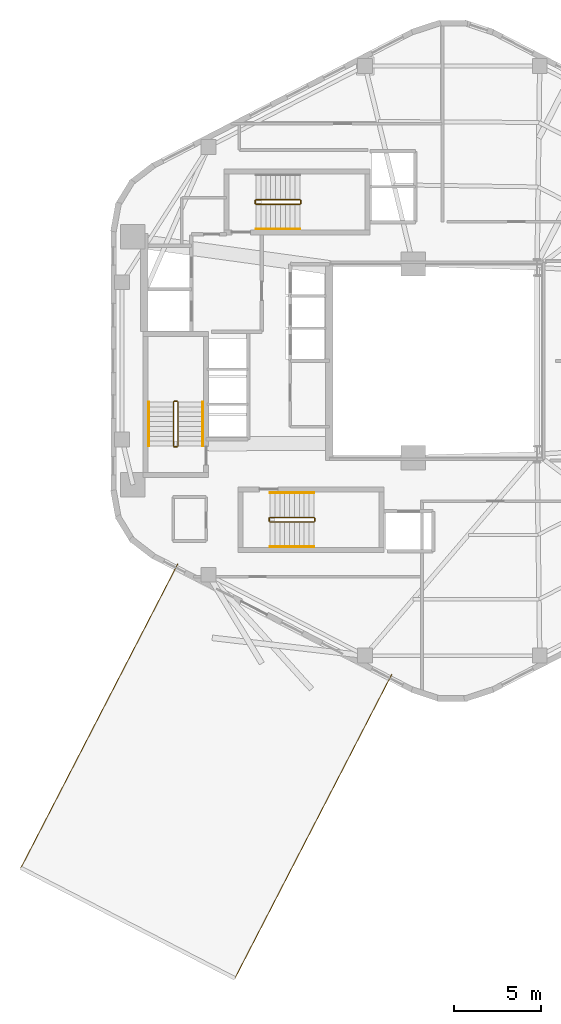
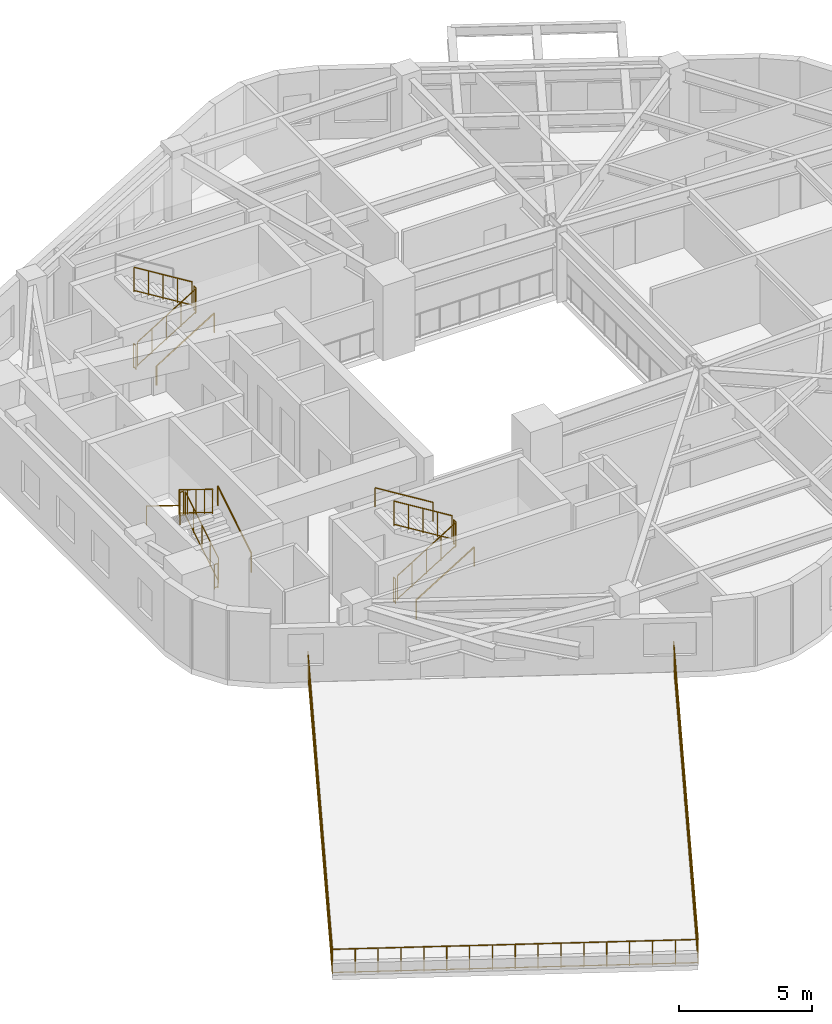
# One storey, part 6 of 7: 18 railings.
"""IFC4 building model written with IfcOpenShell, lengths in metres."""

from ifc_helpers import new_model, si_unit, direction, frame, origin, origin_2d, place, context, subcontext, project, spatial, circle, extrude, material, type_object, element, save


model = new_model("IFC4")

# Units and contexts
model_context = context("Model", 3, precision=1e-05, world=origin(), true_north=direction((0.0, 1.0)))
body_context = subcontext(model_context, "Body", "Model", "MODEL_VIEW")
ifc_project = project(units=[si_unit("LENGTHUNIT", "METRE"), si_unit("AREAUNIT", "SQUARE_METRE"), si_unit("VOLUMEUNIT", "CUBIC_METRE"), si_unit("PLANEANGLEUNIT", "RADIAN"), si_unit("MASSUNIT", "GRAM", prefix="KILO"), si_unit("THERMODYNAMICTEMPERATUREUNIT", "KELVIN"), si_unit("POWERUNIT", "WATT")], contexts=[model_context])

# Site, building, storey
site_placement = place(None, origin())
site = spatial("IfcSite", under=ifc_project, at=site_placement, CompositionType="ELEMENT")
building_placement = place(site_placement, origin())
building = spatial("IfcBuilding", under=site, at=building_placement, Name="Skarre Station Tower", CompositionType="ELEMENT")
storey_placement = place(building_placement, frame((0.0, 0.0, 184.35009765625)))
storey = spatial("IfcBuildingStorey", under=building, at=storey_placement, Name="L50", CompositionType="ELEMENT", Elevation=184.35009765625)

# Railings
ifc_material_1 = material(Name="Stainless Steel Grade 316L & Laminated Safety Glass", Category="steel")
railing_type_1 = type_object("IfcRailingType", Name="Laminated Glass & Stainless Terrace Guardrail 1150", PredefinedType="BALUSTRADE", material=ifc_material_1)
railing_1_placement = place(storey_placement, frame((18.865966796875, 12.3701171875, 0.0)))
element("IfcRailing", 1, at=railing_1_placement, inside=storey, type_object=railing_type_1, Name="L50 SB-4 Sky-Bar Roof Terrace Guardrail", PredefinedType="BALUSTRADE", context=body_context, shape_type="SweptSolid", body=[
    extrude(circle(Radius=0.02392578125, at=origin_2d()), frame((0.0, 0.0, 1.1259765625), z_axis=(-0.458621661341, -0.888631628825, 0.0), x_axis=(0.888631628825, -0.458621661341, 0.0)), (0.0, 0.0, 1.0), 19.60009765625),
    extrude(circle(Radius=0.02099609375, at=origin_2d()), frame((0.0, 0.0, 0.06005859375), z_axis=(-0.458621661341, -0.888631628825, 0.0), x_axis=(0.888631628825, -0.458621661341, 0.0)), (0.0, 0.0, 1.0), 19.60009765625),
    extrude(circle(Radius=0.02392578125, at=origin_2d()), frame((-8.989013671875, -17.417236328125, 1.1259765625), z_axis=(0.888632519013, -0.458619936498, 0.0), x_axis=(0.458619936498, 0.888632519013, 0.0)), (0.0, 0.0, 1.0), 13.7998046875),
    extrude(circle(Radius=0.02099609375, at=origin_2d()), frame((-8.989013671875, -17.417236328125, 0.06005859375), z_axis=(0.888632519013, -0.458619936498, 0.0), x_axis=(0.458619936498, 0.888632519013, 0.0)), (0.0, 0.0, 1.0), 13.7998046875),
    extrude(circle(Radius=0.02392578125, at=origin_2d()), frame((3.27392578125, -23.74609375, 1.1259765625), z_axis=(0.458626737826, 0.88862900884, 0.0), x_axis=(-0.88862900884, 0.458626737826, 0.0)), (0.0, 0.0, 1.0), 19.599853515625),
    extrude(circle(Radius=0.02099609375, at=origin_2d()), frame((3.27392578125, -23.74609375, 0.06005859375), z_axis=(0.458626737826, 0.88862900884, 0.0), x_axis=(-0.88862900884, 0.458626737826, 0.0)), (0.0, 0.0, 1.0), 19.599853515625),
    extrude(circle(Radius=0.02099609375, at=origin_2d()), origin(), (0.0, 0.0, 1.0), 1.101806640625),
    extrude(circle(Radius=0.02099609375, at=origin_2d()), frame((-0.40869140625, -0.791748046875, 0.0)), (0.0, 0.0, 1.0), 1.101806640625),
    extrude(circle(Radius=0.02099609375, at=origin_2d()), frame((-0.817138671875, -1.58349609375, 0.0)), (0.0, 0.0, 1.0), 1.101806640625),
    extrude(circle(Radius=0.02099609375, at=origin_2d()), frame((-1.225830078125, -2.375, 0.0)), (0.0, 0.0, 1.0), 1.101806640625),
    extrude(circle(Radius=0.02099609375, at=origin_2d()), frame((-1.63427734375, -3.166748046875, 0.0)), (0.0, 0.0, 1.0), 1.101806640625),
    extrude(circle(Radius=0.02099609375, at=origin_2d()), frame((-2.04296875, -3.95849609375, 0.0)), (0.0, 0.0, 1.0), 1.101806640625),
    extrude(circle(Radius=0.02099609375, at=origin_2d()), frame((-2.45166015625, -4.750244140625, 0.0)), (0.0, 0.0, 1.0), 1.101806640625),
    extrude(circle(Radius=0.02099609375, at=origin_2d()), frame((-2.860107421875, -5.541748046875, 0.0)), (0.0, 0.0, 1.0), 1.101806640625),
    extrude(circle(Radius=0.02099609375, at=origin_2d()), frame((-3.268798828125, -6.33349609375, 0.0)), (0.0, 0.0, 1.0), 1.101806640625),
    extrude(circle(Radius=0.02099609375, at=origin_2d()), frame((-3.67724609375, -7.125244140625, 0.0)), (0.0, 0.0, 1.0), 1.101806640625),
    extrude(circle(Radius=0.02099609375, at=origin_2d()), frame((-4.0859375, -7.9169921875, 0.0)), (0.0, 0.0, 1.0), 1.101806640625),
    extrude(circle(Radius=0.02099609375, at=origin_2d()), frame((-4.49462890625, -8.70849609375, 0.0)), (0.0, 0.0, 1.0), 1.101806640625),
    extrude(circle(Radius=0.02099609375, at=origin_2d()), frame((-4.903076171875, -9.500244140625, 0.0)), (0.0, 0.0, 1.0), 1.101806640625),
    extrude(circle(Radius=0.02099609375, at=origin_2d()), frame((-5.311767578125, -10.2919921875, 0.0)), (0.0, 0.0, 1.0), 1.101806640625),
    extrude(circle(Radius=0.02099609375, at=origin_2d()), frame((-5.72021484375, -11.083740234375, 0.0)), (0.0, 0.0, 1.0), 1.101806640625),
    extrude(circle(Radius=0.02099609375, at=origin_2d()), frame((-6.12890625, -11.87548828125, 0.0)), (0.0, 0.0, 1.0), 1.101806640625),
    extrude(circle(Radius=0.02099609375, at=origin_2d()), frame((-6.537353515625, -12.6669921875, 0.0)), (0.0, 0.0, 1.0), 1.101806640625),
    extrude(circle(Radius=0.02099609375, at=origin_2d()), frame((-6.946044921875, -13.458740234375, 0.0)), (0.0, 0.0, 1.0), 1.101806640625),
    extrude(circle(Radius=0.02099609375, at=origin_2d()), frame((-7.354736328125, -14.25048828125, 0.0)), (0.0, 0.0, 1.0), 1.101806640625),
    extrude(circle(Radius=0.02099609375, at=origin_2d()), frame((-7.76318359375, -15.042236328125, 0.0)), (0.0, 0.0, 1.0), 1.101806640625),
    extrude(circle(Radius=0.02099609375, at=origin_2d()), frame((-8.171875, -15.833740234375, 0.0)), (0.0, 0.0, 1.0), 1.101806640625),
    extrude(circle(Radius=0.02099609375, at=origin_2d()), frame((-8.580322265625, -16.62548828125, 0.0)), (0.0, 0.0, 1.0), 1.101806640625),
    extrude(circle(Radius=0.02099609375, at=origin_2d()), frame((-8.989013671875, -17.417236328125, 0.0)), (0.0, 0.0, 1.0), 1.101806640625),
    extrude(circle(Radius=0.02099609375, at=origin_2d()), frame((-8.22265625, -17.812744140625, 0.0)), (0.0, 0.0, 1.0), 1.101806640625),
    extrude(circle(Radius=0.02099609375, at=origin_2d()), frame((-7.4560546875, -18.208251953125, 0.0)), (0.0, 0.0, 1.0), 1.101806640625),
    extrude(circle(Radius=0.02099609375, at=origin_2d()), frame((-6.689697265625, -18.60400390625, 0.0)), (0.0, 0.0, 1.0), 1.101806640625),
    extrude(circle(Radius=0.02099609375, at=origin_2d()), frame((-5.92333984375, -18.99951171875, 0.0)), (0.0, 0.0, 1.0), 1.101806640625),
    extrude(circle(Radius=0.02099609375, at=origin_2d()), frame((-5.15673828125, -19.39501953125, 0.0)), (0.0, 0.0, 1.0), 1.101806640625),
    extrude(circle(Radius=0.02099609375, at=origin_2d()), frame((-4.390380859375, -19.79052734375, 0.0)), (0.0, 0.0, 1.0), 1.101806640625),
    extrude(circle(Radius=0.02099609375, at=origin_2d()), frame((-3.6240234375, -20.18603515625, 0.0)), (0.0, 0.0, 1.0), 1.101806640625),
    extrude(circle(Radius=0.02099609375, at=origin_2d()), frame((-2.857421875, -20.58154296875, 0.0)), (0.0, 0.0, 1.0), 1.101806640625),
    extrude(circle(Radius=0.02099609375, at=origin_2d()), frame((-2.091064453125, -20.977294921875, 0.0)), (0.0, 0.0, 1.0), 1.101806640625),
    extrude(circle(Radius=0.02099609375, at=origin_2d()), frame((-1.32470703125, -21.372802734375, 0.0)), (0.0, 0.0, 1.0), 1.101806640625),
    extrude(circle(Radius=0.02099609375, at=origin_2d()), frame((-0.558349609375, -21.768310546875, 0.0)), (0.0, 0.0, 1.0), 1.101806640625),
    extrude(circle(Radius=0.02099609375, at=origin_2d()), frame((0.208251953125, -22.163818359375, 0.0)), (0.0, 0.0, 1.0), 1.101806640625),
    extrude(circle(Radius=0.02099609375, at=origin_2d()), frame((0.974609375, -22.559326171875, 0.0)), (0.0, 0.0, 1.0), 1.101806640625),
    extrude(circle(Radius=0.02099609375, at=origin_2d()), frame((1.740966796875, -22.955078125, 0.0)), (0.0, 0.0, 1.0), 1.101806640625),
    extrude(circle(Radius=0.02099609375, at=origin_2d()), frame((2.507568359375, -23.3505859375, 0.0)), (0.0, 0.0, 1.0), 1.101806640625),
    extrude(circle(Radius=0.02099609375, at=origin_2d()), frame((3.27392578125, -23.74609375, 0.0)), (0.0, 0.0, 1.0), 1.101806640625),
    extrude(circle(Radius=0.02099609375, at=origin_2d()), frame((3.6826171875, -22.954345703125, 0.0)), (0.0, 0.0, 1.0), 1.101806640625),
    extrude(circle(Radius=0.02099609375, at=origin_2d()), frame((4.091064453125, -22.162841796875, 0.0)), (0.0, 0.0, 1.0), 1.101806640625),
    extrude(circle(Radius=0.02099609375, at=origin_2d()), frame((4.499755859375, -21.37109375, 0.0)), (0.0, 0.0, 1.0), 1.101806640625),
    extrude(circle(Radius=0.02099609375, at=origin_2d()), frame((4.908203125, -20.579345703125, 0.0)), (0.0, 0.0, 1.0), 1.101806640625),
    extrude(circle(Radius=0.02099609375, at=origin_2d()), frame((5.31689453125, -19.78759765625, 0.0)), (0.0, 0.0, 1.0), 1.101806640625),
    extrude(circle(Radius=0.02099609375, at=origin_2d()), frame((5.7255859375, -18.99609375, 0.0)), (0.0, 0.0, 1.0), 1.101806640625),
    extrude(circle(Radius=0.02099609375, at=origin_2d()), frame((6.134033203125, -18.204345703125, 0.0)), (0.0, 0.0, 1.0), 1.101806640625),
    extrude(circle(Radius=0.02099609375, at=origin_2d()), frame((6.542724609375, -17.41259765625, 0.0)), (0.0, 0.0, 1.0), 1.101806640625),
    extrude(circle(Radius=0.02099609375, at=origin_2d()), frame((6.951171875, -16.620849609375, 0.0)), (0.0, 0.0, 1.0), 1.101806640625),
    extrude(circle(Radius=0.02099609375, at=origin_2d()), frame((7.35986328125, -15.829345703125, 0.0)), (0.0, 0.0, 1.0), 1.101806640625),
    extrude(circle(Radius=0.02099609375, at=origin_2d()), frame((7.7685546875, -15.03759765625, 0.0)), (0.0, 0.0, 1.0), 1.101806640625),
    extrude(circle(Radius=0.02099609375, at=origin_2d()), frame((8.177001953125, -14.245849609375, 0.0)), (0.0, 0.0, 1.0), 1.101806640625),
    extrude(circle(Radius=0.02099609375, at=origin_2d()), frame((8.585693359375, -13.454345703125, 0.0)), (0.0, 0.0, 1.0), 1.101806640625),
    extrude(circle(Radius=0.02099609375, at=origin_2d()), frame((8.994140625, -12.66259765625, 0.0)), (0.0, 0.0, 1.0), 1.101806640625),
    extrude(circle(Radius=0.02099609375, at=origin_2d()), frame((9.40283203125, -11.870849609375, 0.0)), (0.0, 0.0, 1.0), 1.101806640625),
    extrude(circle(Radius=0.02099609375, at=origin_2d()), frame((9.811279296875, -11.0791015625, 0.0)), (0.0, 0.0, 1.0), 1.101806640625),
    extrude(circle(Radius=0.02099609375, at=origin_2d()), frame((10.219970703125, -10.28759765625, 0.0)), (0.0, 0.0, 1.0), 1.101806640625),
    extrude(circle(Radius=0.02099609375, at=origin_2d()), frame((10.628662109375, -9.495849609375, 0.0)), (0.0, 0.0, 1.0), 1.101806640625),
    extrude(circle(Radius=0.02099609375, at=origin_2d()), frame((11.037109375, -8.7041015625, 0.0)), (0.0, 0.0, 1.0), 1.101806640625),
    extrude(circle(Radius=0.02099609375, at=origin_2d()), frame((11.44580078125, -7.912353515625, 0.0)), (0.0, 0.0, 1.0), 1.101806640625),
    extrude(circle(Radius=0.02099609375, at=origin_2d()), frame((11.854248046875, -7.120849609375, 0.0)), (0.0, 0.0, 1.0), 1.101806640625),
    extrude(circle(Radius=0.02099609375, at=origin_2d()), frame((12.262939453125, -6.3291015625, 0.0)), (0.0, 0.0, 1.0), 1.101806640625),
])
ifc_material_2 = material(Name="Powder-Coated Tubular Steel", Category="steel")
railing_type_2 = type_object("IfcRailingType", Name="Painted Steel Ramp & Stair Handrail 920", PredefinedType="HANDRAIL", material=ifc_material_2)
railing_2_placement = place(storey_placement, frame((20.300048828125, 19.1201171875, 0.17236328125)))
element("IfcRailing", 2, at=railing_2_placement, inside=storey, type_object=railing_type_2, Name="L50 ST-1 stair handrail 1", PredefinedType="HANDRAIL", context=body_context, shape_type="SweptSolid", body=[
    extrude(circle(Radius=0.02392578125, at=origin_2d()), frame((0.0, 0.0, 0.8759765625), z_axis=(0.0, 0.851377800117, 0.52455299205), x_axis=(-1.0, 0.0, 0.0)), (0.0, 0.0, 1.0), 2.959716796875),
    extrude(circle(Radius=0.02099609375, at=origin_2d()), origin(), (0.0, 0.0, 1.0), 0.851806640625),
    extrude(circle(Radius=0.02099609375, at=origin_2d()), frame((0.0, 2.519775390625, 1.552490234375)), (0.0, 0.0, 1.0), 0.851806640625),
])
railing_3_placement = place(storey_placement, frame((17.199951171875, 21.639892578125, 1.8974609375)))
element("IfcRailing", 3, at=railing_3_placement, inside=storey, type_object=railing_type_2, Name="L50 ST-1 stair handrail 2", PredefinedType="HANDRAIL", context=body_context, shape_type="SweptSolid", body=[
    extrude(circle(Radius=0.02392578125, at=origin_2d()), frame((0.0, 0.0, 0.8759765625), z_axis=(0.0, -0.851377800117, 0.52455299205), x_axis=(1.0, 0.0, 0.0)), (0.0, 0.0, 1.0), 2.959716796875),
    extrude(circle(Radius=0.02099609375, at=origin_2d()), origin(), (0.0, 0.0, 1.0), 0.851806640625),
    extrude(circle(Radius=0.02099609375, at=origin_2d()), frame((0.0, -2.519775390625, 1.552490234375)), (0.0, 0.0, 1.0), 0.851806640625),
])
railing_4_placement = place(storey_placement, frame((24.14990234375, 13.35009765625, 0.17236328125)))
element("IfcRailing", 4, at=railing_4_placement, inside=storey, type_object=railing_type_2, Name="L50 ST-2 stair handrail 1", PredefinedType="HANDRAIL", context=body_context, shape_type="SweptSolid", body=[
    extrude(circle(Radius=0.02392578125, at=origin_2d()), frame((0.0, 0.0, 0.8759765625), z_axis=(0.851400495292, 0.0, 0.524516154772), x_axis=(0.0, 1.0, 0.0)), (0.0, 0.0, 1.0), 2.9599609375),
    extrude(circle(Radius=0.02099609375, at=origin_2d()), origin(), (0.0, 0.0, 1.0), 0.851806640625),
    extrude(circle(Radius=0.02099609375, at=origin_2d()), frame((2.52001953125, 0.0, 1.552490234375)), (0.0, 0.0, 1.0), 0.851806640625),
])
railing_5_placement = place(storey_placement, frame((26.669921875, 16.449951171875, 1.8974609375)))
element("IfcRailing", 5, at=railing_5_placement, inside=storey, type_object=railing_type_2, Name="L50 ST-2 stair handrail 2", PredefinedType="HANDRAIL", context=body_context, shape_type="SweptSolid", body=[
    extrude(circle(Radius=0.02392578125, at=origin_2d()), frame((0.0, 0.0, 0.8759765625), z_axis=(-0.851400495292, 0.0, 0.524516154772), x_axis=(0.0, -1.0, 0.0)), (0.0, 0.0, 1.0), 2.9599609375),
    extrude(circle(Radius=0.02099609375, at=origin_2d()), origin(), (0.0, 0.0, 1.0), 0.851806640625),
    extrude(circle(Radius=0.02099609375, at=origin_2d()), frame((-2.52001953125, 0.0, 1.552490234375)), (0.0, 0.0, 1.0), 0.851806640625),
])
railing_6_placement = place(storey_placement, frame((23.35009765625, 31.550048828125, 0.17236328125)))
element("IfcRailing", 6, at=railing_6_placement, inside=storey, type_object=railing_type_2, Name="L50 ST-3 stair handrail 1", PredefinedType="HANDRAIL", context=body_context, shape_type="SweptSolid", body=[
    extrude(circle(Radius=0.02392578125, at=origin_2d()), frame((0.0, 0.0, 0.8759765625), z_axis=(0.851400495292, 0.0, 0.524516154772), x_axis=(0.0, 1.0, 0.0)), (0.0, 0.0, 1.0), 2.9599609375),
    extrude(circle(Radius=0.02099609375, at=origin_2d()), origin(), (0.0, 0.0, 1.0), 0.851806640625),
    extrude(circle(Radius=0.02099609375, at=origin_2d()), frame((2.52001953125, 0.0, 1.552490234375)), (0.0, 0.0, 1.0), 0.851806640625),
])
railing_type_3 = type_object("IfcRailingType", Name="Painted Steel Stairwell Guardrail 1100", PredefinedType="GUARDRAIL", material=ifc_material_2)
railing_7_placement = place(storey_placement, frame((18.8798828125, 19.1201171875, 0.17236328125)))
element("IfcRailing", 7, at=railing_7_placement, inside=storey, type_object=railing_type_3, Name="L50 ST-1 stair guard 1", PredefinedType="GUARDRAIL", context=body_context, shape_type="SweptSolid", body=[
    extrude(circle(Radius=0.02392578125, at=origin_2d()), frame((0.0, 0.0, 1.1259765625), z_axis=(0.0, 0.851377800117, 0.52455299205), x_axis=(-1.0, 0.0, 0.0)), (0.0, 0.0, 1.0), 2.959716796875),
    extrude(circle(Radius=0.02099609375, at=origin_2d()), frame((0.0, 0.0, 0.06005859375), z_axis=(0.0, 0.851377800117, 0.52455299205), x_axis=(-1.0, 0.0, 0.0)), (0.0, 0.0, 1.0), 2.959716796875),
    extrude(circle(Radius=0.02099609375, at=origin_2d()), origin(), (0.0, 0.0, 1.0), 1.101806640625),
    extrude(circle(Radius=0.02099609375, at=origin_2d()), frame((0.0, 0.6298828125, 0.38818359375)), (0.0, 0.0, 1.0), 1.101806640625),
    extrude(circle(Radius=0.02099609375, at=origin_2d()), frame((0.0, 1.259765625, 0.7763671875)), (0.0, 0.0, 1.0), 1.101806640625),
    extrude(circle(Radius=0.02099609375, at=origin_2d()), frame((0.0, 1.889892578125, 1.164306640625)), (0.0, 0.0, 1.0), 1.101806640625),
    extrude(circle(Radius=0.02099609375, at=origin_2d()), frame((0.0, 2.519775390625, 1.552490234375)), (0.0, 0.0, 1.0), 1.101806640625),
])
railing_8_placement = place(storey_placement, frame((18.830078125, 21.68994140625, 1.724853515625)))
element("IfcRailing", 8, at=railing_8_placement, inside=storey, type_object=railing_type_3, Name="L50 ST-1 stair guard 2", PredefinedType="GUARDRAIL", context=body_context, shape_type="SweptSolid", body=[
    extrude(circle(Radius=0.02392578125, at=origin_2d()), frame((0.0, 0.0, 1.1259765625), z_axis=(-1.0, 0.0, 0.0), x_axis=(0.0, -1.0, 0.0)), (0.0, 0.0, 1.0), 0.16015625),
    extrude(circle(Radius=0.02099609375, at=origin_2d()), frame((0.0, 0.0, 0.06005859375), z_axis=(-1.0, 0.0, 0.0), x_axis=(0.0, -1.0, 0.0)), (0.0, 0.0, 1.0), 0.16015625),
    extrude(circle(Radius=0.02099609375, at=origin_2d()), origin(), (0.0, 0.0, 1.0), 1.101806640625),
    extrude(circle(Radius=0.02099609375, at=origin_2d()), frame((-0.16015625, 0.0, 0.0)), (0.0, 0.0, 1.0), 1.101806640625),
])
railing_9_placement = place(storey_placement, frame((18.6201171875, 21.639892578125, 1.8974609375)))
element("IfcRailing", 9, at=railing_9_placement, inside=storey, type_object=railing_type_3, Name="L50 ST-1 stair guard 3", PredefinedType="GUARDRAIL", context=body_context, shape_type="SweptSolid", body=[
    extrude(circle(Radius=0.02392578125, at=origin_2d()), frame((0.0, 0.0, 1.1259765625), z_axis=(0.0, -0.851377800117, 0.52455299205), x_axis=(1.0, 0.0, 0.0)), (0.0, 0.0, 1.0), 2.959716796875),
    extrude(circle(Radius=0.02099609375, at=origin_2d()), frame((0.0, 0.0, 0.06005859375), z_axis=(0.0, -0.851377800117, 0.52455299205), x_axis=(1.0, 0.0, 0.0)), (0.0, 0.0, 1.0), 2.959716796875),
    extrude(circle(Radius=0.02099609375, at=origin_2d()), origin(), (0.0, 0.0, 1.0), 1.101806640625),
    extrude(circle(Radius=0.02099609375, at=origin_2d()), frame((0.0, -0.6298828125, 0.38818359375)), (0.0, 0.0, 1.0), 1.101806640625),
    extrude(circle(Radius=0.02099609375, at=origin_2d()), frame((0.0, -1.259765625, 0.7763671875)), (0.0, 0.0, 1.0), 1.101806640625),
    extrude(circle(Radius=0.02099609375, at=origin_2d()), frame((0.0, -1.889892578125, 1.164306640625)), (0.0, 0.0, 1.0), 1.101806640625),
    extrude(circle(Radius=0.02099609375, at=origin_2d()), frame((0.0, -2.519775390625, 1.552490234375)), (0.0, 0.0, 1.0), 1.101806640625),
])
railing_10_placement = place(storey_placement, frame((18.830078125, 19.070068359375, 0.0)))
element("IfcRailing", 10, at=railing_10_placement, inside=storey, type_object=railing_type_3, Name="L50 ST-1 stair guard 4", PredefinedType="GUARDRAIL", context=body_context, shape_type="SweptSolid", body=[
    extrude(circle(Radius=0.02392578125, at=origin_2d()), frame((0.0, 0.0, 1.1259765625), z_axis=(-1.0, 0.0, 0.0), x_axis=(0.0, -1.0, 0.0)), (0.0, 0.0, 1.0), 0.16015625),
    extrude(circle(Radius=0.02099609375, at=origin_2d()), frame((0.0, 0.0, 0.06005859375), z_axis=(-1.0, 0.0, 0.0), x_axis=(0.0, -1.0, 0.0)), (0.0, 0.0, 1.0), 0.16015625),
    extrude(circle(Radius=0.02099609375, at=origin_2d()), origin(), (0.0, 0.0, 1.0), 1.101806640625),
    extrude(circle(Radius=0.02099609375, at=origin_2d()), frame((-0.16015625, 0.0, 0.0)), (0.0, 0.0, 1.0), 1.101806640625),
])
railing_11_placement = place(storey_placement, frame((24.14990234375, 14.77001953125, 0.17236328125)))
element("IfcRailing", 11, at=railing_11_placement, inside=storey, type_object=railing_type_3, Name="L50 ST-2 stair guard 1", PredefinedType="GUARDRAIL", context=body_context, shape_type="SweptSolid", body=[
    extrude(circle(Radius=0.02392578125, at=origin_2d()), frame((0.0, 0.0, 1.1259765625), z_axis=(0.851400495292, 0.0, 0.524516154772), x_axis=(0.0, 1.0, 0.0)), (0.0, 0.0, 1.0), 2.9599609375),
    extrude(circle(Radius=0.02099609375, at=origin_2d()), frame((0.0, 0.0, 0.06005859375), z_axis=(0.851400495292, 0.0, 0.524516154772), x_axis=(0.0, 1.0, 0.0)), (0.0, 0.0, 1.0), 2.9599609375),
    extrude(circle(Radius=0.02099609375, at=origin_2d()), origin(), (0.0, 0.0, 1.0), 1.101806640625),
    extrude(circle(Radius=0.02099609375, at=origin_2d()), frame((0.6298828125, 0.0, 0.38818359375)), (0.0, 0.0, 1.0), 1.101806640625),
    extrude(circle(Radius=0.02099609375, at=origin_2d()), frame((1.260009765625, 0.0, 0.7763671875)), (0.0, 0.0, 1.0), 1.101806640625),
    extrude(circle(Radius=0.02099609375, at=origin_2d()), frame((1.89013671875, 0.0, 1.164306640625)), (0.0, 0.0, 1.0), 1.101806640625),
    extrude(circle(Radius=0.02099609375, at=origin_2d()), frame((2.52001953125, 0.0, 1.552490234375)), (0.0, 0.0, 1.0), 1.101806640625),
])
railing_12_placement = place(storey_placement, frame((26.719970703125, 14.820068359375, 1.724853515625)))
element("IfcRailing", 12, at=railing_12_placement, inside=storey, type_object=railing_type_3, Name="L50 ST-2 stair guard 2", PredefinedType="GUARDRAIL", context=body_context, shape_type="SweptSolid", body=[
    extrude(circle(Radius=0.02392578125, at=origin_2d()), frame((0.0, 0.0, 1.1259765625), z_axis=(0.0, 1.0, 0.0), x_axis=(-1.0, 0.0, 0.0)), (0.0, 0.0, 1.0), 0.159912109375),
    extrude(circle(Radius=0.02099609375, at=origin_2d()), frame((0.0, 0.0, 0.06005859375), z_axis=(0.0, 1.0, 0.0), x_axis=(-1.0, 0.0, 0.0)), (0.0, 0.0, 1.0), 0.159912109375),
    extrude(circle(Radius=0.02099609375, at=origin_2d()), origin(), (0.0, 0.0, 1.0), 1.101806640625),
    extrude(circle(Radius=0.02099609375, at=origin_2d()), frame((0.0, 0.159912109375, 0.0)), (0.0, 0.0, 1.0), 1.101806640625),
])
railing_13_placement = place(storey_placement, frame((26.669921875, 15.030029296875, 1.8974609375)))
element("IfcRailing", 13, at=railing_13_placement, inside=storey, type_object=railing_type_3, Name="L50 ST-2 stair guard 3", PredefinedType="GUARDRAIL", context=body_context, shape_type="SweptSolid", body=[
    extrude(circle(Radius=0.02392578125, at=origin_2d()), frame((0.0, 0.0, 1.1259765625), z_axis=(-0.851400495292, 0.0, 0.524516154772), x_axis=(0.0, -1.0, 0.0)), (0.0, 0.0, 1.0), 2.9599609375),
    extrude(circle(Radius=0.02099609375, at=origin_2d()), frame((0.0, 0.0, 0.06005859375), z_axis=(-0.851400495292, 0.0, 0.524516154772), x_axis=(0.0, -1.0, 0.0)), (0.0, 0.0, 1.0), 2.9599609375),
    extrude(circle(Radius=0.02099609375, at=origin_2d()), origin(), (0.0, 0.0, 1.0), 1.101806640625),
    extrude(circle(Radius=0.02099609375, at=origin_2d()), frame((-0.6298828125, 0.0, 0.38818359375)), (0.0, 0.0, 1.0), 1.101806640625),
    extrude(circle(Radius=0.02099609375, at=origin_2d()), frame((-1.260009765625, 0.0, 0.7763671875)), (0.0, 0.0, 1.0), 1.101806640625),
    extrude(circle(Radius=0.02099609375, at=origin_2d()), frame((-1.89013671875, 0.0, 1.164306640625)), (0.0, 0.0, 1.0), 1.101806640625),
    extrude(circle(Radius=0.02099609375, at=origin_2d()), frame((-2.52001953125, 0.0, 1.552490234375)), (0.0, 0.0, 1.0), 1.101806640625),
])
railing_14_placement = place(storey_placement, frame((24.10009765625, 14.820068359375, 0.0)))
element("IfcRailing", 14, at=railing_14_placement, inside=storey, type_object=railing_type_3, Name="L50 ST-2 stair guard 4", PredefinedType="GUARDRAIL", context=body_context, shape_type="SweptSolid", body=[
    extrude(circle(Radius=0.02392578125, at=origin_2d()), frame((0.0, 0.0, 1.1259765625), z_axis=(0.0, 1.0, 0.0), x_axis=(-1.0, 0.0, 0.0)), (0.0, 0.0, 1.0), 0.159912109375),
    extrude(circle(Radius=0.02099609375, at=origin_2d()), frame((0.0, 0.0, 0.06005859375), z_axis=(0.0, 1.0, 0.0), x_axis=(-1.0, 0.0, 0.0)), (0.0, 0.0, 1.0), 0.159912109375),
    extrude(circle(Radius=0.02099609375, at=origin_2d()), origin(), (0.0, 0.0, 1.0), 1.101806640625),
    extrude(circle(Radius=0.02099609375, at=origin_2d()), frame((0.0, 0.159912109375, 0.0)), (0.0, 0.0, 1.0), 1.101806640625),
])
railing_15_placement = place(storey_placement, frame((23.35009765625, 32.969970703125, 0.17236328125)))
element("IfcRailing", 15, at=railing_15_placement, inside=storey, type_object=railing_type_3, Name="L50 ST-3 stair guard 1", PredefinedType="GUARDRAIL", context=body_context, shape_type="SweptSolid", body=[
    extrude(circle(Radius=0.02392578125, at=origin_2d()), frame((0.0, 0.0, 1.1259765625), z_axis=(0.851400495292, 0.0, 0.524516154772), x_axis=(0.0, 1.0, 0.0)), (0.0, 0.0, 1.0), 2.9599609375),
    extrude(circle(Radius=0.02099609375, at=origin_2d()), frame((0.0, 0.0, 0.06005859375), z_axis=(0.851400495292, 0.0, 0.524516154772), x_axis=(0.0, 1.0, 0.0)), (0.0, 0.0, 1.0), 2.9599609375),
    extrude(circle(Radius=0.02099609375, at=origin_2d()), origin(), (0.0, 0.0, 1.0), 1.101806640625),
    extrude(circle(Radius=0.02099609375, at=origin_2d()), frame((0.6298828125, 0.0, 0.38818359375)), (0.0, 0.0, 1.0), 1.101806640625),
    extrude(circle(Radius=0.02099609375, at=origin_2d()), frame((1.260009765625, 0.0, 0.7763671875)), (0.0, 0.0, 1.0), 1.101806640625),
    extrude(circle(Radius=0.02099609375, at=origin_2d()), frame((1.89013671875, 0.0, 1.164306640625)), (0.0, 0.0, 1.0), 1.101806640625),
    extrude(circle(Radius=0.02099609375, at=origin_2d()), frame((2.52001953125, 0.0, 1.552490234375)), (0.0, 0.0, 1.0), 1.101806640625),
])
railing_16_placement = place(storey_placement, frame((25.919921875, 33.02001953125, 1.724853515625)))
element("IfcRailing", 16, at=railing_16_placement, inside=storey, type_object=railing_type_3, Name="L50 ST-3 stair guard 2", PredefinedType="GUARDRAIL", context=body_context, shape_type="SweptSolid", body=[
    extrude(circle(Radius=0.02392578125, at=origin_2d()), frame((0.0, 0.0, 1.1259765625), z_axis=(0.0, 1.0, 0.0), x_axis=(-1.0, 0.0, 0.0)), (0.0, 0.0, 1.0), 0.159912109375),
    extrude(circle(Radius=0.02099609375, at=origin_2d()), frame((0.0, 0.0, 0.06005859375), z_axis=(0.0, 1.0, 0.0), x_axis=(-1.0, 0.0, 0.0)), (0.0, 0.0, 1.0), 0.159912109375),
    extrude(circle(Radius=0.02099609375, at=origin_2d()), origin(), (0.0, 0.0, 1.0), 1.101806640625),
    extrude(circle(Radius=0.02099609375, at=origin_2d()), frame((0.0, 0.159912109375, 0.0)), (0.0, 0.0, 1.0), 1.101806640625),
])
railing_17_placement = place(storey_placement, frame((25.8701171875, 33.22998046875, 1.8974609375)))
element("IfcRailing", 17, at=railing_17_placement, inside=storey, type_object=railing_type_3, Name="L50 ST-3 stair guard 3", PredefinedType="GUARDRAIL", context=body_context, shape_type="SweptSolid", body=[
    extrude(circle(Radius=0.02392578125, at=origin_2d()), frame((0.0, 0.0, 1.1259765625), z_axis=(-0.851400495292, 0.0, 0.524516154772), x_axis=(0.0, -1.0, 0.0)), (0.0, 0.0, 1.0), 2.9599609375),
    extrude(circle(Radius=0.02099609375, at=origin_2d()), frame((0.0, 0.0, 0.06005859375), z_axis=(-0.851400495292, 0.0, 0.524516154772), x_axis=(0.0, -1.0, 0.0)), (0.0, 0.0, 1.0), 2.9599609375),
    extrude(circle(Radius=0.02099609375, at=origin_2d()), origin(), (0.0, 0.0, 1.0), 1.101806640625),
    extrude(circle(Radius=0.02099609375, at=origin_2d()), frame((-0.6298828125, 0.0, 0.38818359375)), (0.0, 0.0, 1.0), 1.101806640625),
    extrude(circle(Radius=0.02099609375, at=origin_2d()), frame((-1.260009765625, 0.0, 0.7763671875)), (0.0, 0.0, 1.0), 1.101806640625),
    extrude(circle(Radius=0.02099609375, at=origin_2d()), frame((-1.89013671875, 0.0, 1.164306640625)), (0.0, 0.0, 1.0), 1.101806640625),
    extrude(circle(Radius=0.02099609375, at=origin_2d()), frame((-2.52001953125, 0.0, 1.552490234375)), (0.0, 0.0, 1.0), 1.101806640625),
])
railing_18_placement = place(storey_placement, frame((23.300048828125, 33.02001953125, 0.0)))
element("IfcRailing", 18, at=railing_18_placement, inside=storey, type_object=railing_type_3, Name="L50 ST-3 stair guard 4", PredefinedType="GUARDRAIL", context=body_context, shape_type="SweptSolid", body=[
    extrude(circle(Radius=0.02392578125, at=origin_2d()), frame((0.0, 0.0, 1.1259765625), z_axis=(0.0, 1.0, 0.0), x_axis=(-1.0, 0.0, 0.0)), (0.0, 0.0, 1.0), 0.159912109375),
    extrude(circle(Radius=0.02099609375, at=origin_2d()), frame((0.0, 0.0, 0.06005859375), z_axis=(0.0, 1.0, 0.0), x_axis=(-1.0, 0.0, 0.0)), (0.0, 0.0, 1.0), 0.159912109375),
    extrude(circle(Radius=0.02099609375, at=origin_2d()), origin(), (0.0, 0.0, 1.0), 1.101806640625),
    extrude(circle(Radius=0.02099609375, at=origin_2d()), frame((0.0, 0.159912109375, 0.0)), (0.0, 0.0, 1.0), 1.101806640625),
])

save(model, "model.ifc")
